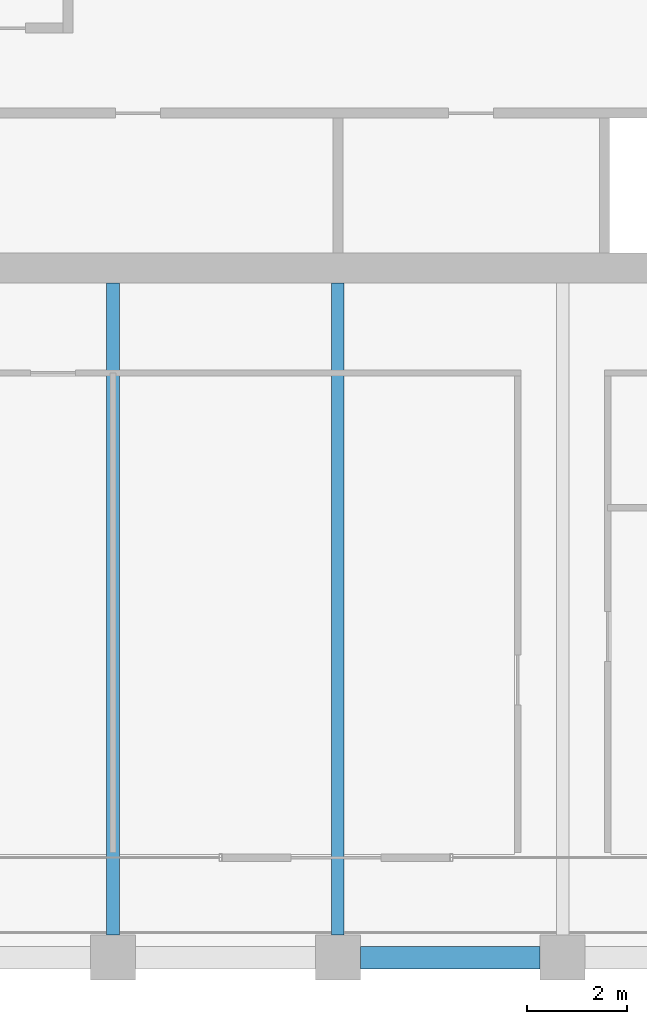
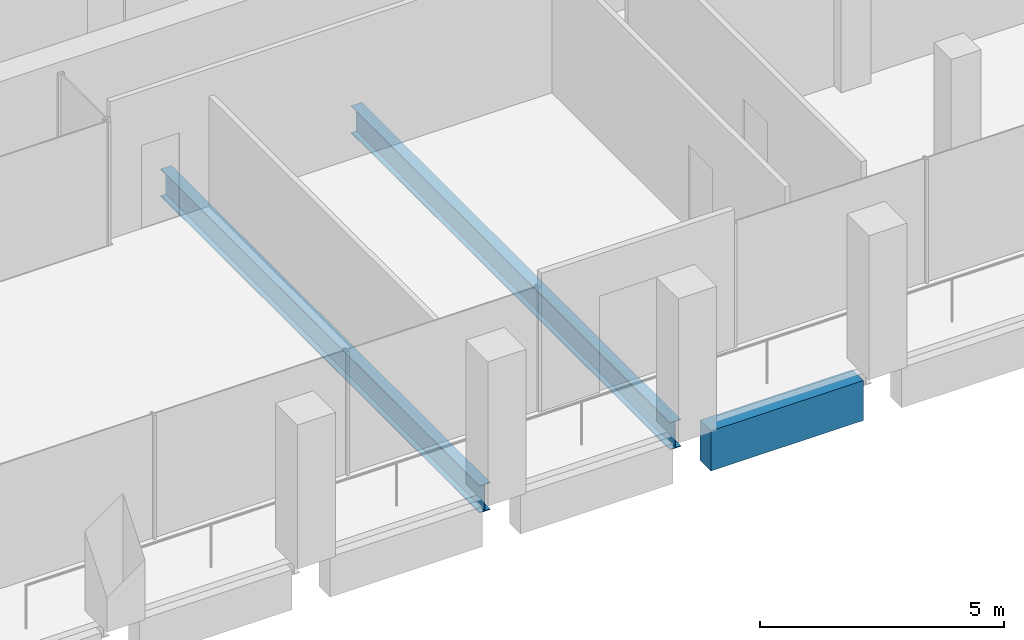
# One storey, part 8 of 40: 3 beams.
"""IFC4 building model written with IfcOpenShell, lengths in metres."""

import ifcopenshell
import ifcopenshell.guid

model = None  # the IFC model being written
_history = None  # IfcOwnerHistory: only IFC2X3 demands one
_inside = {}  # id of a spatial element -> (the spatial element, [elements in it])
_under = {}  # id of a project, library or spatial element -> (it, [spatial elements below it])
_declared = {}  # id of a project -> (the project, [libraries it declares])
_typed = {}  # id of a type object -> (the type object, [elements of that type])
_made_of = {}  # id of a material, layer set ... -> (it, [elements and type objects made of it])


def new_model(schema):
    """Start an empty IFC model of exactly this schema.

    Asked for "IFC4X3", IfcOpenShell would pick the latest addendum, in which some entities
    have other attributes; the version numbers below select the first issue.
    IFC2X3 requires an IfcOwnerHistory on every rooted entity: one is made here for all.
    """
    global model, _history
    if schema == "IFC4X3":
        model = ifcopenshell.file(schema_version=(4, 3, 0, 0))
    else:
        model = ifcopenshell.file(schema=schema)
    _inside.clear()
    _under.clear()
    _declared.clear()
    _typed.clear()
    _made_of.clear()
    _history = None
    if model.schema == "IFC2X3":
        org = make("IfcOrganization", Name="unknown")
        user = make(
            "IfcPersonAndOrganization",
            ThePerson=make("IfcPerson", FamilyName="unknown"),
            TheOrganization=org,
        )
        app = make(
            "IfcApplication",
            ApplicationDeveloper=org,
            Version="unknown",
            ApplicationFullName="unknown",
            ApplicationIdentifier="unknown",
        )
        _history = make(
            "IfcOwnerHistory",
            OwningUser=user,
            OwningApplication=app,
            ChangeAction="ADDED",
            CreationDate=0,
        )
    return model


def make(cls, **values):
    """One entity of the class cls with the attributes given. An attribute that is None is left unset."""
    return model.create_entity(
        cls, **{name: value for name, value in values.items() if value is not None}
    )


def rooted(cls, **values):
    """An entity with a GlobalId (a new one), such as an element, a storey or a relation."""
    return make(cls, GlobalId=ifcopenshell.guid.new(), OwnerHistory=_history, **values)


def si_unit(unit_type, name, prefix=None):
    """IfcSIUnit, for example si_unit("LENGTHUNIT", "METRE", prefix="MILLI")."""
    return make("IfcSIUnit", UnitType=unit_type, Prefix=prefix, Name=name)


def assignment(units):
    """IfcUnitAssignment: the units of a project."""
    return None if units is None else make("IfcUnitAssignment", Units=units)


def point(xyz):
    """IfcCartesianPoint."""
    return None if xyz is None else make("IfcCartesianPoint", Coordinates=xyz)


def direction(xyz):
    """IfcDirection."""
    return None if xyz is None else make("IfcDirection", DirectionRatios=xyz)


def frame(location, z_axis=None, x_axis=None):
    """IfcAxis2Placement3D, a coordinate frame: its origin and axes. An axis left out is left unset."""
    return make(
        "IfcAxis2Placement3D",
        Location=point(location),
        Axis=direction(z_axis),
        RefDirection=direction(x_axis),
    )


def frame_2d(location, x_axis=None):
    """IfcAxis2Placement2D, a coordinate frame in the plane: its origin and x axis."""
    return make(
        "IfcAxis2Placement2D", Location=point(location), RefDirection=direction(x_axis)
    )


def origin():
    """The frame at (0, 0, 0) with its axes left unset."""
    return frame((0.0, 0.0, 0.0))


def origin_2d():
    """The frame at (0, 0) in the plane with its x axis left unset."""
    return frame_2d((0.0, 0.0))


def place(relative_to, where):
    """IfcLocalPlacement: puts the frame where relative to a parent placement (None: the world)."""
    return make(
        "IfcLocalPlacement", PlacementRelTo=relative_to, RelativePlacement=where
    )


def context(
    kind, dimensions, precision=None, world=None, true_north=None, identifier=None
):
    """IfcGeometricRepresentationContext, for example the 3D "Model" context."""
    return make(
        "IfcGeometricRepresentationContext",
        ContextIdentifier=identifier,
        ContextType=kind,
        CoordinateSpaceDimension=dimensions,
        Precision=precision,
        WorldCoordinateSystem=world,
        TrueNorth=true_north,
    )


def subcontext(parent, identifier, kind, view, scale=None):
    """IfcGeometricRepresentationSubContext, for example "Body" below "Model"."""
    return make(
        "IfcGeometricRepresentationSubContext",
        ContextIdentifier=identifier,
        ContextType=kind,
        ParentContext=parent,
        TargetScale=scale,
        TargetView=view,
    )


def project(units=None, contexts=None):
    """IfcProject with its units and contexts."""
    return rooted(
        "IfcProject",
        Name="project",
        RepresentationContexts=contexts,
        UnitsInContext=assignment(units),
    )


def spatial(cls, under=None, at=None, **own):
    """A site, building, storey or space (cls), placed at a placement, below another one or the project."""
    s = rooted(cls, ObjectPlacement=at, **own)
    if under is not None:
        _under.setdefault(under.id(), (under, []))[1].append(s)
    return s


def profile(cls, at=None, kind="AREA", **sizes):
    """A parametric profile (cls). Its sizes go by their IFC names, for example OverallWidth=200.0."""
    return make(cls, ProfileType=kind, Position=at, **sizes)


def rectangle(**sizes):
    """IfcRectangleProfileDef."""
    return profile("IfcRectangleProfileDef", **sizes)


def i_section(**sizes):
    """IfcIShapeProfileDef."""
    return profile("IfcIShapeProfileDef", **sizes)


def extrude(swept, where, along, depth):
    """IfcExtrudedAreaSolid: the profile swept, set in the frame where, extruded along a direction by depth."""
    return make(
        "IfcExtrudedAreaSolid",
        SweptArea=swept,
        Position=where,
        ExtrudedDirection=direction(along),
        Depth=depth,
    )


def shape(context_of_items, identifier, shape_type, items):
    """IfcShapeRepresentation: the items that make up one representation, for example the "Body"."""
    return make(
        "IfcShapeRepresentation",
        ContextOfItems=context_of_items,
        RepresentationIdentifier=identifier,
        RepresentationType=shape_type,
        Items=items,
    )


def material(Name=None, Category=None):
    """IfcMaterial."""
    return make("IfcMaterial", Name=Name, Category=Category)


def material_profile(
    of_material, cross_section, Name=None, Category=None, Priority=None
):
    """IfcMaterialProfile: a cross section and its material."""
    return make(
        "IfcMaterialProfile",
        Name=Name,
        Material=of_material,
        Profile=cross_section,
        Priority=Priority,
        Category=Category,
    )


def profile_set(profiles, Name=None, composite=None):
    """IfcMaterialProfileSet."""
    return make(
        "IfcMaterialProfileSet",
        Name=Name,
        MaterialProfiles=profiles,
        CompositeProfile=composite,
    )


def made_of(thing, what):
    """Note that an element or type object is made of a material, layer set ...; save() writes the relation."""
    if what is not None:
        _made_of.setdefault(what.id(), (what, []))[1].append(thing)
    return thing


def type_object(cls, material=None, **own):
    """A type object (cls), such as IfcWallType, which elements share."""
    return made_of(rooted(cls, **own), material)


def element(
    cls,
    number,
    at=None,
    inside=None,
    cuts=None,
    type_object=None,
    material=None,
    context=None,
    identifier="Body",
    shape_type=None,
    held_by="IfcProductDefinitionShape",
    body=None,
    shapes=None,
    **own,
):
    """One element of the class cls, such as IfcWall. Its Tag is "e" and its number.

    at: its placement. inside: the storey or other place that contains it. cuts: it is an
    opening in that element (IfcRelVoidsElement). A single representation is given by context,
    identifier, shape_type and body (its items); several are given by shapes. held_by: the class
    of the entity that holds the representations. save() writes the other relations.
    """
    e = rooted(cls, Tag="e%d" % number, ObjectPlacement=at, **own)
    if body is not None:
        shapes = [shape(context, identifier, shape_type, body)]
    if shapes is not None:
        e.Representation = make(held_by, Representations=shapes)
    if inside is not None:
        _inside.setdefault(inside.id(), (inside, []))[1].append(e)
    if cuts is not None:
        rooted(
            "IfcRelVoidsElement", RelatingBuildingElement=cuts, RelatedOpeningElement=e
        )
    if type_object is not None:
        _typed.setdefault(type_object.id(), (type_object, []))[1].append(e)
    return made_of(e, material)


def aggregate(whole, parts):
    """IfcRelAggregates: a whole, such as a stair, and the parts it consists of."""
    return rooted("IfcRelAggregates", RelatingObject=whole, RelatedObjects=parts)


def save(model, path):
    """Write the relations noted so far, then the file.

    IfcRelAggregates (storeys below a building ...), IfcRelContainedInSpatialStructure (elements
    in a storey), IfcRelDefinesByType, IfcRelAssociatesMaterial and IfcRelDeclares: one each for
    every whole, place, type object, material and project.
    """
    for whole, parts in _under.values():
        aggregate(whole, parts)
    for where, things in _inside.values():
        rooted(
            "IfcRelContainedInSpatialStructure",
            RelatedElements=things,
            RelatingStructure=where,
        )
    for kind, things in _typed.values():
        rooted("IfcRelDefinesByType", RelatedObjects=things, RelatingType=kind)
    for what, things in _made_of.values():
        rooted("IfcRelAssociatesMaterial", RelatedObjects=things, RelatingMaterial=what)
    for by, libraries in _declared.values():
        rooted("IfcRelDeclares", RelatingContext=by, RelatedDefinitions=libraries)
    model.write(path)


model = new_model("IFC4")

# Units and contexts
model_context = context("Model", 3, precision=1e-05, world=origin(), true_north=direction((0.0, 1.0)))
body_context = subcontext(model_context, "Body", "Model", "MODEL_VIEW")
ifc_project = project(units=[si_unit("LENGTHUNIT", "METRE"), si_unit("AREAUNIT", "SQUARE_METRE"), si_unit("VOLUMEUNIT", "CUBIC_METRE"), si_unit("PLANEANGLEUNIT", "RADIAN"), si_unit("MASSUNIT", "GRAM", prefix="KILO")], contexts=[model_context])

# Site, building, storey
site_placement = place(None, origin())
site = spatial("IfcSite", under=ifc_project, at=site_placement, CompositionType="ELEMENT")
building_placement = place(site_placement, origin())
building = spatial("IfcBuilding", under=site, at=building_placement, Name="Altepetl Exchange Towers", CompositionType="ELEMENT")
storey_placement = place(building_placement, frame((0.0, 0.0, 151.0)))
storey = spatial("IfcBuildingStorey", under=building, at=storey_placement, Name="L37", CompositionType="ELEMENT", Elevation=151.0)

# Beams
ifc_material_1 = material(Name="Steel S355", Category="steel")
ifc_material_profile_1 = material_profile(ifc_material_1, i_section(OverallWidth=0.25390625, OverallDepth=0.68408203125, WebThickness=0.012451171875, FlangeThickness=0.018798828125, at=origin_2d()), Name="W27X94")
ifc_profile_set_1 = profile_set([ifc_material_profile_1], Name="Steel S355")
beam_type_1 = type_object("IfcBeamType", Name="Floor beam W27X94", PredefinedType="BEAM", material=ifc_profile_set_1)
for number, where, z_axis, x_axis, name in (
    (1, (45.0, 27.449951171875, -0.491943359375), (0.0, 1.0, 0.0), (-1.0, 0.0, 0.0), "bm:A:L37:015"),
    (2, (49.5, 27.449951171875, -0.491943359375), (0.0, 1.0, 0.0), (-1.0, 0.0, 0.0), "bm:A:L37:016"),
):
    element("IfcBeam", number, at=place(storey_placement, frame(where, z_axis=z_axis, x_axis=x_axis)), inside=storey, type_object=beam_type_1, Name=name, PredefinedType="BEAM", context=body_context, shape_type="SweptSolid", body=[
        extrude(i_section(OverallWidth=0.25390625, OverallDepth=0.68408203125, WebThickness=0.012451171875, FlangeThickness=0.018798828125, at=origin_2d()), origin(), (0.0, 0.0, 1.0), 13.050048828125),
    ])
ifc_material_2 = material(Name="Concrete C50/60 precast with cantera blanca facing", Category="concrete")
ifc_material_profile_2 = material_profile(ifc_material_2, rectangle(XDim=0.449951171875, YDim=1.0, at=origin_2d()), Name="450 x 1000")
ifc_profile_set_2 = profile_set([ifc_material_profile_2], Name="Concrete C50/60 precast with cantera blanca facing")
beam_type_2 = type_object("IfcBeamType", Name="Spandrel beam 450x1000 cantera blanca", PredefinedType="SPANDREL", material=ifc_profile_set_2)
beam_placement = place(storey_placement, frame((49.949951171875, 27.0, -0.64990234375), z_axis=(1.0, 0.0, 0.0), x_axis=(0.0, 1.0, 0.0)))
element("IfcBeam", 3, at=beam_placement, inside=storey, type_object=beam_type_2, Name="sp:A:L37:004", PredefinedType="SPANDREL", context=body_context, shape_type="SweptSolid", body=[
    extrude(rectangle(XDim=0.449951171875, YDim=1.0, at=origin_2d()), origin(), (0.0, 0.0, 1.0), 3.60009765625),
])

save(model, "model.ifc")
